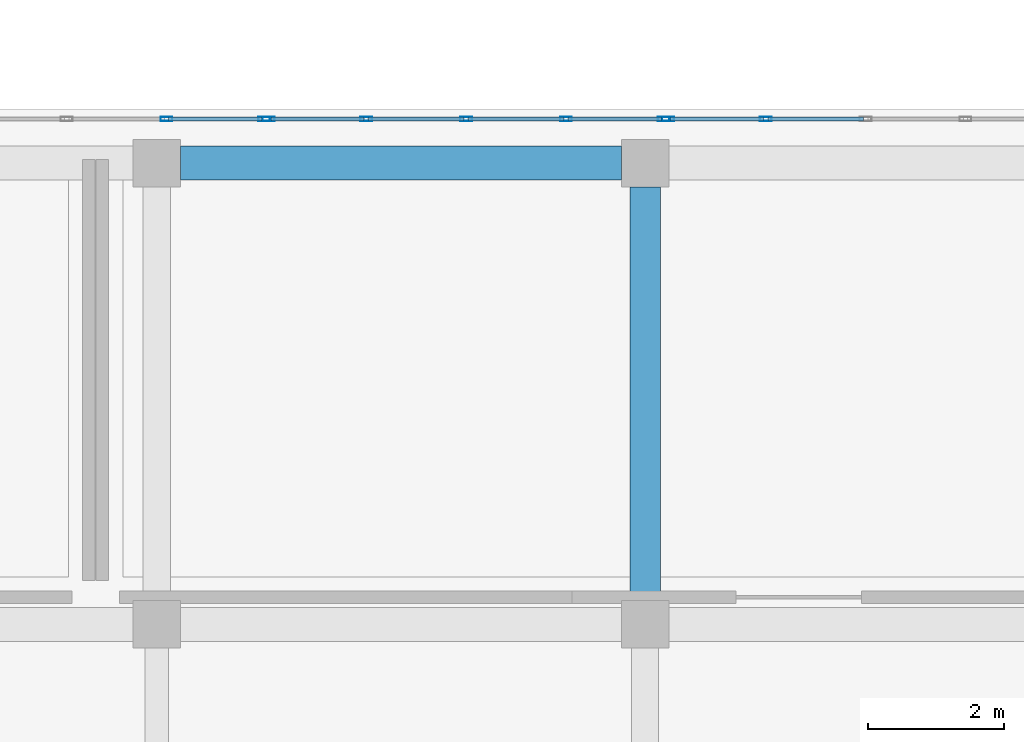
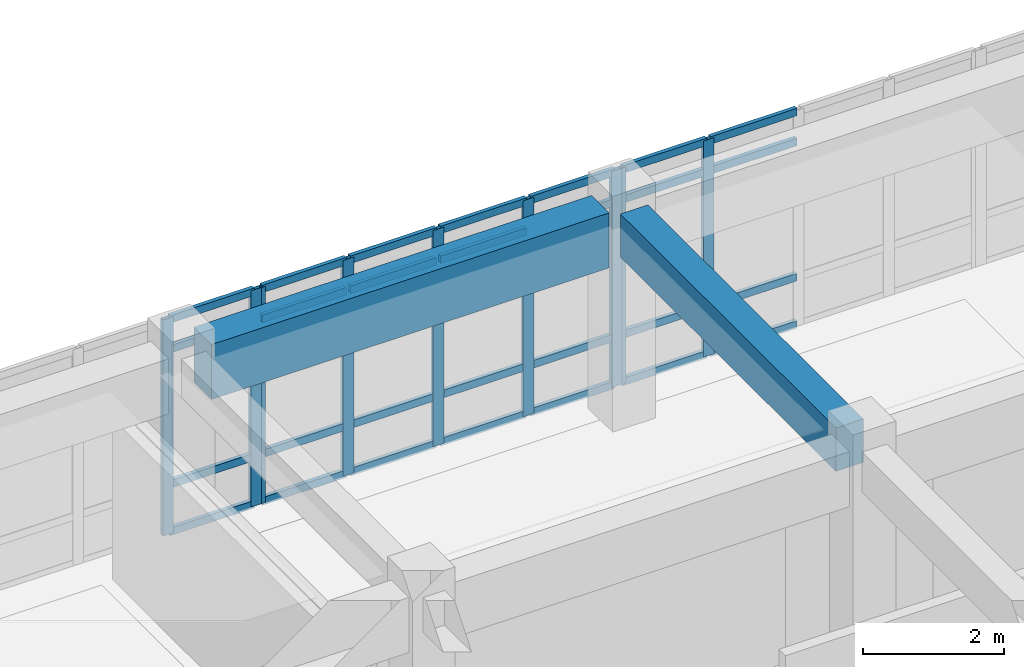
# One storey, part 23 of 146: 37 members, 2 beams, 3 elements without a shape of their own.
"""IFC4 building model written with IfcOpenShell, lengths in metres."""

from ifc_helpers import new_model, si_unit, direction, frame, origin, origin_2d, place, context, subcontext, project, spatial, rectangle, hollow_rectangle, extrude, material, layer, layer_set, material_profile, profile_set, type_object, element, aggregate, save


model = new_model("IFC4")

# Units and contexts
model_context = context("Model", 3, precision=1e-05, world=origin(), true_north=direction((0.0, 1.0)))
body_context = subcontext(model_context, "Body", "Model", "MODEL_VIEW")
ifc_project = project(units=[si_unit("LENGTHUNIT", "METRE"), si_unit("AREAUNIT", "SQUARE_METRE"), si_unit("VOLUMEUNIT", "CUBIC_METRE"), si_unit("PLANEANGLEUNIT", "RADIAN"), si_unit("MASSUNIT", "GRAM", prefix="KILO")], contexts=[model_context])

# Site, building, storey
site_placement = place(None, origin())
site = spatial("IfcSite", under=ifc_project, at=site_placement, CompositionType="ELEMENT")
building_placement = place(site_placement, origin())
building = spatial("IfcBuilding", under=site, at=building_placement, Name="Valcora Specialist Clinic", CompositionType="ELEMENT")
storey_placement = place(building_placement, frame((0.0, 0.0, 9.52001953125)))
storey = spatial("IfcBuildingStorey", under=building, at=storey_placement, Name="L02", CompositionType="ELEMENT", Elevation=9.52001953125)

# Beams
ifc_material_1 = material(Name="Concrete C40/50", Category="concrete")
ifc_material_profile_1 = material_profile(ifc_material_1, rectangle(XDim=0.449951171875, YDim=0.75, at=origin_2d()), Name="RC-BM-450X750")
ifc_profile_set_1 = profile_set([ifc_material_profile_1], Name="Concrete C40/50")
beam_type_1 = type_object("IfcBeamType", Name="TY-BM-RC450X750", PredefinedType="BEAM", material=ifc_profile_set_1)
beam_1_placement = place(storey_placement, frame((23.39990234375, 15.550048828125, 3.35986328125), z_axis=(0.0, 1.0, 0.0), x_axis=(-1.0, 0.0, 0.0)))
element("IfcBeam", 1, at=beam_1_placement, inside=storey, type_object=beam_type_1, Name="Beam BM-L02-1017", PredefinedType="BEAM", context=body_context, shape_type="SweptSolid", body=[
    extrude(rectangle(XDim=0.449951171875, YDim=0.75, at=origin_2d()), origin(), (0.0, 0.0, 1.0), 6.099853515625),
])
ifc_material_profile_2 = material_profile(ifc_material_1, rectangle(XDim=0.5, YDim=0.949951171875, at=origin_2d()), Name="RC-BM-500X950")
ifc_profile_set_2 = profile_set([ifc_material_profile_2], Name="Concrete C40/50")
beam_type_2 = type_object("IfcBeamType", Name="TY-BM-TR500X950", PredefinedType="BEAM", material=ifc_profile_set_2)
beam_2_placement = place(storey_placement, frame((16.550048828125, 22.0, 3.260009765625), z_axis=(1.0, 0.0, 0.0), x_axis=(0.0, 1.0, 0.0)))
element("IfcBeam", 2, at=beam_2_placement, inside=storey, type_object=beam_type_2, Name="Beam BM-L02-1004", PredefinedType="BEAM", context=body_context, shape_type="SweptSolid", body=[
    extrude(rectangle(XDim=0.5, YDim=0.949951171875, at=origin_2d()), origin(), (0.0, 0.0, 1.0), 6.5),
])

# Curtain wall, members
ifc_material_2 = material(Name="Anodized Bronze Aluminium 6063-T6", Category="aluminium")
ifc_layer = layer(ifc_material_2, 0.175048828125)
ifc_layer_set = layer_set([ifc_layer], Name="Anodized Bronze Aluminium 6063-T6")
curtain_wall_type = type_object("IfcCurtainWallType", Name="TY-CW-V5F15", PredefinedType="NOTDEFINED", material=ifc_layer_set)
curtain_wall_1_placement = place(storey_placement, origin())
curtain_wall_1 = element("IfcCurtainWall", 3, at=curtain_wall_1_placement, inside=storey, type_object=curtain_wall_type, Name="Curtain wall CW-L02-145", PredefinedType="NOTDEFINED")
ifc_material_profile_3 = material_profile(ifc_material_2, hollow_rectangle(XDim=0.06494140625, YDim=0.175048828125, WallThickness=0.00390625, at=origin_2d()), Name="AL-MUL-65X175")
ifc_profile_set_3 = profile_set([ifc_material_profile_3], Name="Anodized Bronze Aluminium 6063-T6")
member_type_1 = type_object("IfcMemberType", Name="TY-CWM-65X175", PredefinedType="MULLION", material=ifc_profile_set_3)
member_1_placement = place(storey_placement, frame((16.344482421875, 22.64990234375, 0.0), z_axis=(0.0, 0.0, 1.0), x_axis=(0.0, 1.0, 0.0)))
member_1 = element("IfcMember", 4, at=member_1_placement, type_object=member_type_1, Name="CW-V5F-15 mullion 4", PredefinedType="MULLION", context=body_context, shape_type="SweptSolid", body=[
    extrude(hollow_rectangle(XDim=0.06494140625, YDim=0.175048828125, WallThickness=0.00390625, at=origin_2d()), origin(), (0.0, 0.0, 1.0), 3.73486328125),
])
member_2_placement = place(storey_placement, frame((17.7841796875, 22.64990234375, 0.0), z_axis=(0.0, 0.0, 1.0), x_axis=(0.0, 1.0, 0.0)))
member_2 = element("IfcMember", 5, at=member_2_placement, type_object=member_type_1, Name="CW-V5F-15 mullion 5", PredefinedType="MULLION", context=body_context, shape_type="SweptSolid", body=[
    extrude(hollow_rectangle(XDim=0.06494140625, YDim=0.175048828125, WallThickness=0.00390625, at=origin_2d()), origin(), (0.0, 0.0, 1.0), 3.73486328125),
])

curtain_wall_2_placement = place(storey_placement, origin())
curtain_wall_2 = element("IfcCurtainWall", 6, at=curtain_wall_2_placement, inside=storey, type_object=curtain_wall_type, Name="Curtain wall CW-L02-146", PredefinedType="NOTDEFINED")
member_3_placement = place(storey_placement, frame((17.84912109375, 22.64990234375, 0.0), z_axis=(0.0, 0.0, 1.0), x_axis=(0.0, 1.0, 0.0)))
member_3 = element("IfcMember", 7, at=member_3_placement, type_object=member_type_1, Name="CW-V5F-15 mullion 1", PredefinedType="MULLION", context=body_context, shape_type="SweptSolid", body=[
    extrude(hollow_rectangle(XDim=0.06494140625, YDim=0.175048828125, WallThickness=0.00390625, at=origin_2d()), origin(), (0.0, 0.0, 1.0), 3.73486328125),
])
member_4_placement = place(storey_placement, frame((19.288818359375, 22.64990234375, 0.0), z_axis=(0.0, 0.0, 1.0), x_axis=(0.0, 1.0, 0.0)))
member_4 = element("IfcMember", 8, at=member_4_placement, type_object=member_type_1, Name="CW-V5F-15 mullion 2", PredefinedType="MULLION", context=body_context, shape_type="SweptSolid", body=[
    extrude(hollow_rectangle(XDim=0.06494140625, YDim=0.175048828125, WallThickness=0.00390625, at=origin_2d()), origin(), (0.0, 0.0, 1.0), 3.73486328125),
])
member_5_placement = place(storey_placement, frame((20.76123046875, 22.64990234375, 0.0), z_axis=(0.0, 0.0, 1.0), x_axis=(0.0, 1.0, 0.0)))
member_5 = element("IfcMember", 9, at=member_5_placement, type_object=member_type_1, Name="CW-V5F-15 mullion 3", PredefinedType="MULLION", context=body_context, shape_type="SweptSolid", body=[
    extrude(hollow_rectangle(XDim=0.06494140625, YDim=0.175048828125, WallThickness=0.00390625, at=origin_2d()), origin(), (0.0, 0.0, 1.0), 3.73486328125),
])
member_6_placement = place(storey_placement, frame((22.2333984375, 22.64990234375, 0.0), z_axis=(0.0, 0.0, 1.0), x_axis=(0.0, 1.0, 0.0)))
member_6 = element("IfcMember", 10, at=member_6_placement, type_object=member_type_1, Name="CW-V5F-15 mullion 4", PredefinedType="MULLION", context=body_context, shape_type="SweptSolid", body=[
    extrude(hollow_rectangle(XDim=0.06494140625, YDim=0.175048828125, WallThickness=0.00390625, at=origin_2d()), origin(), (0.0, 0.0, 1.0), 3.73486328125),
])
member_7_placement = place(storey_placement, frame((23.673095703125, 22.64990234375, 0.0), z_axis=(0.0, 0.0, 1.0), x_axis=(0.0, 1.0, 0.0)))
member_7 = element("IfcMember", 11, at=member_7_placement, type_object=member_type_1, Name="CW-V5F-15 mullion 5", PredefinedType="MULLION", context=body_context, shape_type="SweptSolid", body=[
    extrude(hollow_rectangle(XDim=0.06494140625, YDim=0.175048828125, WallThickness=0.00390625, at=origin_2d()), origin(), (0.0, 0.0, 1.0), 3.73486328125),
])

curtain_wall_3_placement = place(storey_placement, origin())
curtain_wall_3 = element("IfcCurtainWall", 12, at=curtain_wall_3_placement, inside=storey, type_object=curtain_wall_type, Name="Curtain wall CW-L02-147", PredefinedType="NOTDEFINED")
member_8_placement = place(storey_placement, frame((23.738037109375, 22.64990234375, 0.0), z_axis=(0.0, 0.0, 1.0), x_axis=(0.0, 1.0, 0.0)))
member_8 = element("IfcMember", 13, at=member_8_placement, type_object=member_type_1, Name="CW-V5F-15 mullion 1", PredefinedType="MULLION", context=body_context, shape_type="SweptSolid", body=[
    extrude(hollow_rectangle(XDim=0.06494140625, YDim=0.175048828125, WallThickness=0.00390625, at=origin_2d()), origin(), (0.0, 0.0, 1.0), 3.73486328125),
])
member_9_placement = place(storey_placement, frame((25.177734375, 22.64990234375, 0.0), z_axis=(0.0, 0.0, 1.0), x_axis=(0.0, 1.0, 0.0)))
member_9 = element("IfcMember", 14, at=member_9_placement, type_object=member_type_1, Name="CW-V5F-15 mullion 2", PredefinedType="MULLION", context=body_context, shape_type="SweptSolid", body=[
    extrude(hollow_rectangle(XDim=0.06494140625, YDim=0.175048828125, WallThickness=0.00390625, at=origin_2d()), origin(), (0.0, 0.0, 1.0), 3.73486328125),
])

# Member
ifc_material_profile_4 = material_profile(ifc_material_2, hollow_rectangle(XDim=0.06494140625, YDim=0.1298828125, WallThickness=0.00390625, at=origin_2d()), Name="AL-TRN-65X130")
ifc_profile_set_4 = profile_set([ifc_material_profile_4], Name="Anodized Bronze Aluminium 6063-T6")
member_type_2 = type_object("IfcMemberType", Name="TY-CWT-65X130", PredefinedType="USERDEFINED", material=ifc_profile_set_4)
member_10_placement = place(storey_placement, frame((16.376953125, 22.64990234375, 0.032470703125), z_axis=(1.0, 0.0, 0.0), x_axis=(0.0, 1.0, 0.0)))
member_10 = element("IfcMember", 15, at=member_10_placement, type_object=member_type_2, Name="CW-V5F-15 transom 4.1", ObjectType="TRANSOM", PredefinedType="USERDEFINED", context=body_context, shape_type="SweptSolid", body=[
    extrude(hollow_rectangle(XDim=0.06494140625, YDim=0.1298828125, WallThickness=0.00390625, at=origin_2d()), origin(), (0.0, 0.0, 1.0), 1.374755859375),
])

member_11_placement = place(storey_placement, frame((16.376953125, 22.64990234375, 0.85009765625), z_axis=(1.0, 0.0, 0.0), x_axis=(0.0, 1.0, 0.0)))
member_11 = element("IfcMember", 16, at=member_11_placement, type_object=member_type_2, Name="CW-V5F-15 transom 4.2", ObjectType="TRANSOM", PredefinedType="USERDEFINED", context=body_context, shape_type="SweptSolid", body=[
    extrude(hollow_rectangle(XDim=0.06494140625, YDim=0.1298828125, WallThickness=0.00390625, at=origin_2d()), origin(), (0.0, 0.0, 1.0), 1.374755859375),
])

member_12_placement = place(storey_placement, frame((16.376953125, 22.64990234375, 3.18505859375), z_axis=(1.0, 0.0, 0.0), x_axis=(0.0, 1.0, 0.0)))
member_12 = element("IfcMember", 17, at=member_12_placement, type_object=member_type_2, Name="CW-V5F-15 transom 4.3", ObjectType="TRANSOM", PredefinedType="USERDEFINED", context=body_context, shape_type="SweptSolid", body=[
    extrude(hollow_rectangle(XDim=0.06494140625, YDim=0.1298828125, WallThickness=0.00390625, at=origin_2d()), origin(), (0.0, 0.0, 1.0), 1.374755859375),
])

member_13_placement = place(storey_placement, frame((16.376953125, 22.64990234375, 3.702392578125), z_axis=(1.0, 0.0, 0.0), x_axis=(0.0, 1.0, 0.0)))
member_13 = element("IfcMember", 18, at=member_13_placement, type_object=member_type_2, Name="CW-V5F-15 transom 4.4", ObjectType="TRANSOM", PredefinedType="USERDEFINED", context=body_context, shape_type="SweptSolid", body=[
    extrude(hollow_rectangle(XDim=0.06494140625, YDim=0.1298828125, WallThickness=0.00390625, at=origin_2d()), origin(), (0.0, 0.0, 1.0), 1.374755859375),
])

aggregate(curtain_wall_1, [member_1, member_2, member_10, member_11, member_12, member_13])

member_14_placement = place(storey_placement, frame((17.881591796875, 22.64990234375, 0.032470703125), z_axis=(1.0, 0.0, 0.0), x_axis=(0.0, 1.0, 0.0)))
member_14 = element("IfcMember", 19, at=member_14_placement, type_object=member_type_2, Name="CW-V5F-15 transom 1.1", ObjectType="TRANSOM", PredefinedType="USERDEFINED", context=body_context, shape_type="SweptSolid", body=[
    extrude(hollow_rectangle(XDim=0.06494140625, YDim=0.1298828125, WallThickness=0.00390625, at=origin_2d()), origin(), (0.0, 0.0, 1.0), 1.374755859375),
])

member_15_placement = place(storey_placement, frame((17.881591796875, 22.64990234375, 0.85009765625), z_axis=(1.0, 0.0, 0.0), x_axis=(0.0, 1.0, 0.0)))
member_15 = element("IfcMember", 20, at=member_15_placement, type_object=member_type_2, Name="CW-V5F-15 transom 1.2", ObjectType="TRANSOM", PredefinedType="USERDEFINED", context=body_context, shape_type="SweptSolid", body=[
    extrude(hollow_rectangle(XDim=0.06494140625, YDim=0.1298828125, WallThickness=0.00390625, at=origin_2d()), origin(), (0.0, 0.0, 1.0), 1.374755859375),
])

member_16_placement = place(storey_placement, frame((17.881591796875, 22.64990234375, 3.18505859375), z_axis=(1.0, 0.0, 0.0), x_axis=(0.0, 1.0, 0.0)))
member_16 = element("IfcMember", 21, at=member_16_placement, type_object=member_type_2, Name="CW-V5F-15 transom 1.3", ObjectType="TRANSOM", PredefinedType="USERDEFINED", context=body_context, shape_type="SweptSolid", body=[
    extrude(hollow_rectangle(XDim=0.06494140625, YDim=0.1298828125, WallThickness=0.00390625, at=origin_2d()), origin(), (0.0, 0.0, 1.0), 1.374755859375),
])

member_17_placement = place(storey_placement, frame((17.881591796875, 22.64990234375, 3.702392578125), z_axis=(1.0, 0.0, 0.0), x_axis=(0.0, 1.0, 0.0)))
member_17 = element("IfcMember", 22, at=member_17_placement, type_object=member_type_2, Name="CW-V5F-15 transom 1.4", ObjectType="TRANSOM", PredefinedType="USERDEFINED", context=body_context, shape_type="SweptSolid", body=[
    extrude(hollow_rectangle(XDim=0.06494140625, YDim=0.1298828125, WallThickness=0.00390625, at=origin_2d()), origin(), (0.0, 0.0, 1.0), 1.374755859375),
])

member_18_placement = place(storey_placement, frame((19.321533203125, 22.64990234375, 0.032470703125), z_axis=(1.0, 0.0, 0.0), x_axis=(0.0, 1.0, 0.0)))
member_18 = element("IfcMember", 23, at=member_18_placement, type_object=member_type_2, Name="CW-V5F-15 transom 2.1", ObjectType="TRANSOM", PredefinedType="USERDEFINED", context=body_context, shape_type="SweptSolid", body=[
    extrude(hollow_rectangle(XDim=0.06494140625, YDim=0.1298828125, WallThickness=0.00390625, at=origin_2d()), origin(), (0.0, 0.0, 1.0), 1.4072265625),
])

member_19_placement = place(storey_placement, frame((19.321533203125, 22.64990234375, 0.85009765625), z_axis=(1.0, 0.0, 0.0), x_axis=(0.0, 1.0, 0.0)))
member_19 = element("IfcMember", 24, at=member_19_placement, type_object=member_type_2, Name="CW-V5F-15 transom 2.2", ObjectType="TRANSOM", PredefinedType="USERDEFINED", context=body_context, shape_type="SweptSolid", body=[
    extrude(hollow_rectangle(XDim=0.06494140625, YDim=0.1298828125, WallThickness=0.00390625, at=origin_2d()), origin(), (0.0, 0.0, 1.0), 1.4072265625),
])

member_20_placement = place(storey_placement, frame((19.321533203125, 22.64990234375, 3.18505859375), z_axis=(1.0, 0.0, 0.0), x_axis=(0.0, 1.0, 0.0)))
member_20 = element("IfcMember", 25, at=member_20_placement, type_object=member_type_2, Name="CW-V5F-15 transom 2.3", ObjectType="TRANSOM", PredefinedType="USERDEFINED", context=body_context, shape_type="SweptSolid", body=[
    extrude(hollow_rectangle(XDim=0.06494140625, YDim=0.1298828125, WallThickness=0.00390625, at=origin_2d()), origin(), (0.0, 0.0, 1.0), 1.4072265625),
])

member_21_placement = place(storey_placement, frame((19.321533203125, 22.64990234375, 3.702392578125), z_axis=(1.0, 0.0, 0.0), x_axis=(0.0, 1.0, 0.0)))
member_21 = element("IfcMember", 26, at=member_21_placement, type_object=member_type_2, Name="CW-V5F-15 transom 2.4", ObjectType="TRANSOM", PredefinedType="USERDEFINED", context=body_context, shape_type="SweptSolid", body=[
    extrude(hollow_rectangle(XDim=0.06494140625, YDim=0.1298828125, WallThickness=0.00390625, at=origin_2d()), origin(), (0.0, 0.0, 1.0), 1.4072265625),
])

member_22_placement = place(storey_placement, frame((20.793701171875, 22.64990234375, 0.032470703125), z_axis=(1.0, 0.0, 0.0), x_axis=(0.0, 1.0, 0.0)))
member_22 = element("IfcMember", 27, at=member_22_placement, type_object=member_type_2, Name="CW-V5F-15 transom 3.1", ObjectType="TRANSOM", PredefinedType="USERDEFINED", context=body_context, shape_type="SweptSolid", body=[
    extrude(hollow_rectangle(XDim=0.06494140625, YDim=0.1298828125, WallThickness=0.00390625, at=origin_2d()), origin(), (0.0, 0.0, 1.0), 1.4072265625),
])

member_23_placement = place(storey_placement, frame((20.793701171875, 22.64990234375, 0.85009765625), z_axis=(1.0, 0.0, 0.0), x_axis=(0.0, 1.0, 0.0)))
member_23 = element("IfcMember", 28, at=member_23_placement, type_object=member_type_2, Name="CW-V5F-15 transom 3.2", ObjectType="TRANSOM", PredefinedType="USERDEFINED", context=body_context, shape_type="SweptSolid", body=[
    extrude(hollow_rectangle(XDim=0.06494140625, YDim=0.1298828125, WallThickness=0.00390625, at=origin_2d()), origin(), (0.0, 0.0, 1.0), 1.4072265625),
])

member_24_placement = place(storey_placement, frame((20.793701171875, 22.64990234375, 3.18505859375), z_axis=(1.0, 0.0, 0.0), x_axis=(0.0, 1.0, 0.0)))
member_24 = element("IfcMember", 29, at=member_24_placement, type_object=member_type_2, Name="CW-V5F-15 transom 3.3", ObjectType="TRANSOM", PredefinedType="USERDEFINED", context=body_context, shape_type="SweptSolid", body=[
    extrude(hollow_rectangle(XDim=0.06494140625, YDim=0.1298828125, WallThickness=0.00390625, at=origin_2d()), origin(), (0.0, 0.0, 1.0), 1.4072265625),
])

member_25_placement = place(storey_placement, frame((20.793701171875, 22.64990234375, 3.702392578125), z_axis=(1.0, 0.0, 0.0), x_axis=(0.0, 1.0, 0.0)))
member_25 = element("IfcMember", 30, at=member_25_placement, type_object=member_type_2, Name="CW-V5F-15 transom 3.4", ObjectType="TRANSOM", PredefinedType="USERDEFINED", context=body_context, shape_type="SweptSolid", body=[
    extrude(hollow_rectangle(XDim=0.06494140625, YDim=0.1298828125, WallThickness=0.00390625, at=origin_2d()), origin(), (0.0, 0.0, 1.0), 1.4072265625),
])

member_26_placement = place(storey_placement, frame((22.265869140625, 22.64990234375, 0.032470703125), z_axis=(1.0, 0.0, 0.0), x_axis=(0.0, 1.0, 0.0)))
member_26 = element("IfcMember", 31, at=member_26_placement, type_object=member_type_2, Name="CW-V5F-15 transom 4.1", ObjectType="TRANSOM", PredefinedType="USERDEFINED", context=body_context, shape_type="SweptSolid", body=[
    extrude(hollow_rectangle(XDim=0.06494140625, YDim=0.1298828125, WallThickness=0.00390625, at=origin_2d()), origin(), (0.0, 0.0, 1.0), 1.374755859375),
])

member_27_placement = place(storey_placement, frame((22.265869140625, 22.64990234375, 0.85009765625), z_axis=(1.0, 0.0, 0.0), x_axis=(0.0, 1.0, 0.0)))
member_27 = element("IfcMember", 32, at=member_27_placement, type_object=member_type_2, Name="CW-V5F-15 transom 4.2", ObjectType="TRANSOM", PredefinedType="USERDEFINED", context=body_context, shape_type="SweptSolid", body=[
    extrude(hollow_rectangle(XDim=0.06494140625, YDim=0.1298828125, WallThickness=0.00390625, at=origin_2d()), origin(), (0.0, 0.0, 1.0), 1.374755859375),
])

member_28_placement = place(storey_placement, frame((22.265869140625, 22.64990234375, 3.18505859375), z_axis=(1.0, 0.0, 0.0), x_axis=(0.0, 1.0, 0.0)))
member_28 = element("IfcMember", 33, at=member_28_placement, type_object=member_type_2, Name="CW-V5F-15 transom 4.3", ObjectType="TRANSOM", PredefinedType="USERDEFINED", context=body_context, shape_type="SweptSolid", body=[
    extrude(hollow_rectangle(XDim=0.06494140625, YDim=0.1298828125, WallThickness=0.00390625, at=origin_2d()), origin(), (0.0, 0.0, 1.0), 1.374755859375),
])

member_29_placement = place(storey_placement, frame((22.265869140625, 22.64990234375, 3.702392578125), z_axis=(1.0, 0.0, 0.0), x_axis=(0.0, 1.0, 0.0)))
member_29 = element("IfcMember", 34, at=member_29_placement, type_object=member_type_2, Name="CW-V5F-15 transom 4.4", ObjectType="TRANSOM", PredefinedType="USERDEFINED", context=body_context, shape_type="SweptSolid", body=[
    extrude(hollow_rectangle(XDim=0.06494140625, YDim=0.1298828125, WallThickness=0.00390625, at=origin_2d()), origin(), (0.0, 0.0, 1.0), 1.374755859375),
])

aggregate(curtain_wall_2, [member_3, member_4, member_5, member_6, member_7, member_14, member_15, member_16, member_17, member_18, member_19, member_20, member_21, member_22, member_23, member_24, member_25, member_26, member_27, member_28, member_29])

member_30_placement = place(storey_placement, frame((23.7705078125, 22.64990234375, 0.032470703125), z_axis=(1.0, 0.0, 0.0), x_axis=(0.0, 1.0, 0.0)))
member_30 = element("IfcMember", 35, at=member_30_placement, type_object=member_type_2, Name="CW-V5F-15 transom 1.1", ObjectType="TRANSOM", PredefinedType="USERDEFINED", context=body_context, shape_type="SweptSolid", body=[
    extrude(hollow_rectangle(XDim=0.06494140625, YDim=0.1298828125, WallThickness=0.00390625, at=origin_2d()), origin(), (0.0, 0.0, 1.0), 1.374755859375),
])

member_31_placement = place(storey_placement, frame((23.7705078125, 22.64990234375, 0.85009765625), z_axis=(1.0, 0.0, 0.0), x_axis=(0.0, 1.0, 0.0)))
member_31 = element("IfcMember", 36, at=member_31_placement, type_object=member_type_2, Name="CW-V5F-15 transom 1.2", ObjectType="TRANSOM", PredefinedType="USERDEFINED", context=body_context, shape_type="SweptSolid", body=[
    extrude(hollow_rectangle(XDim=0.06494140625, YDim=0.1298828125, WallThickness=0.00390625, at=origin_2d()), origin(), (0.0, 0.0, 1.0), 1.374755859375),
])

member_32_placement = place(storey_placement, frame((23.7705078125, 22.64990234375, 3.18505859375), z_axis=(1.0, 0.0, 0.0), x_axis=(0.0, 1.0, 0.0)))
member_32 = element("IfcMember", 37, at=member_32_placement, type_object=member_type_2, Name="CW-V5F-15 transom 1.3", ObjectType="TRANSOM", PredefinedType="USERDEFINED", context=body_context, shape_type="SweptSolid", body=[
    extrude(hollow_rectangle(XDim=0.06494140625, YDim=0.1298828125, WallThickness=0.00390625, at=origin_2d()), origin(), (0.0, 0.0, 1.0), 1.374755859375),
])

member_33_placement = place(storey_placement, frame((23.7705078125, 22.64990234375, 3.702392578125), z_axis=(1.0, 0.0, 0.0), x_axis=(0.0, 1.0, 0.0)))
member_33 = element("IfcMember", 38, at=member_33_placement, type_object=member_type_2, Name="CW-V5F-15 transom 1.4", ObjectType="TRANSOM", PredefinedType="USERDEFINED", context=body_context, shape_type="SweptSolid", body=[
    extrude(hollow_rectangle(XDim=0.06494140625, YDim=0.1298828125, WallThickness=0.00390625, at=origin_2d()), origin(), (0.0, 0.0, 1.0), 1.374755859375),
])

member_34_placement = place(storey_placement, frame((25.210205078125, 22.64990234375, 0.032470703125), z_axis=(1.0, 0.0, 0.0), x_axis=(0.0, 1.0, 0.0)))
member_34 = element("IfcMember", 39, at=member_34_placement, type_object=member_type_2, Name="CW-V5F-15 transom 2.1", ObjectType="TRANSOM", PredefinedType="USERDEFINED", context=body_context, shape_type="SweptSolid", body=[
    extrude(hollow_rectangle(XDim=0.06494140625, YDim=0.1298828125, WallThickness=0.00390625, at=origin_2d()), origin(), (0.0, 0.0, 1.0), 1.4072265625),
])

member_35_placement = place(storey_placement, frame((25.210205078125, 22.64990234375, 0.85009765625), z_axis=(1.0, 0.0, 0.0), x_axis=(0.0, 1.0, 0.0)))
member_35 = element("IfcMember", 40, at=member_35_placement, type_object=member_type_2, Name="CW-V5F-15 transom 2.2", ObjectType="TRANSOM", PredefinedType="USERDEFINED", context=body_context, shape_type="SweptSolid", body=[
    extrude(hollow_rectangle(XDim=0.06494140625, YDim=0.1298828125, WallThickness=0.00390625, at=origin_2d()), origin(), (0.0, 0.0, 1.0), 1.4072265625),
])

member_36_placement = place(storey_placement, frame((25.210205078125, 22.64990234375, 3.18505859375), z_axis=(1.0, 0.0, 0.0), x_axis=(0.0, 1.0, 0.0)))
member_36 = element("IfcMember", 41, at=member_36_placement, type_object=member_type_2, Name="CW-V5F-15 transom 2.3", ObjectType="TRANSOM", PredefinedType="USERDEFINED", context=body_context, shape_type="SweptSolid", body=[
    extrude(hollow_rectangle(XDim=0.06494140625, YDim=0.1298828125, WallThickness=0.00390625, at=origin_2d()), origin(), (0.0, 0.0, 1.0), 1.4072265625),
])

member_37_placement = place(storey_placement, frame((25.210205078125, 22.64990234375, 3.702392578125), z_axis=(1.0, 0.0, 0.0), x_axis=(0.0, 1.0, 0.0)))
member_37 = element("IfcMember", 42, at=member_37_placement, type_object=member_type_2, Name="CW-V5F-15 transom 2.4", ObjectType="TRANSOM", PredefinedType="USERDEFINED", context=body_context, shape_type="SweptSolid", body=[
    extrude(hollow_rectangle(XDim=0.06494140625, YDim=0.1298828125, WallThickness=0.00390625, at=origin_2d()), origin(), (0.0, 0.0, 1.0), 1.4072265625),
])

aggregate(curtain_wall_3, [member_8, member_9, member_30, member_31, member_32, member_33, member_34, member_35, member_36, member_37])

save(model, "model.ifc")
